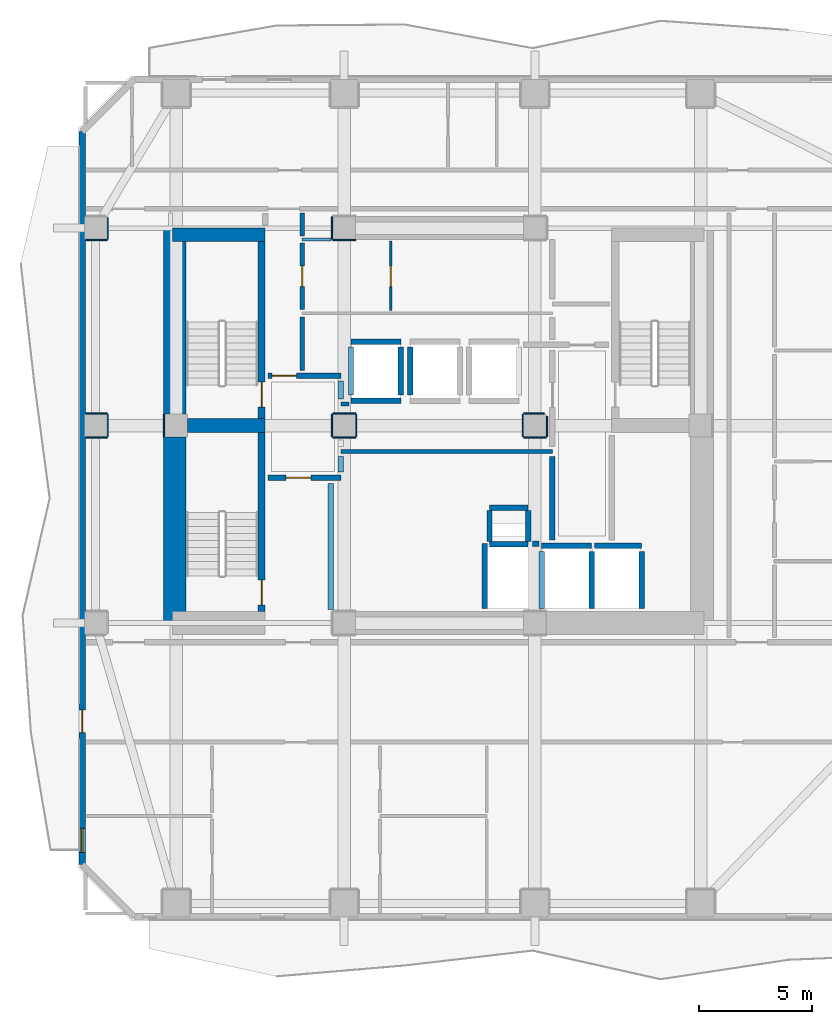
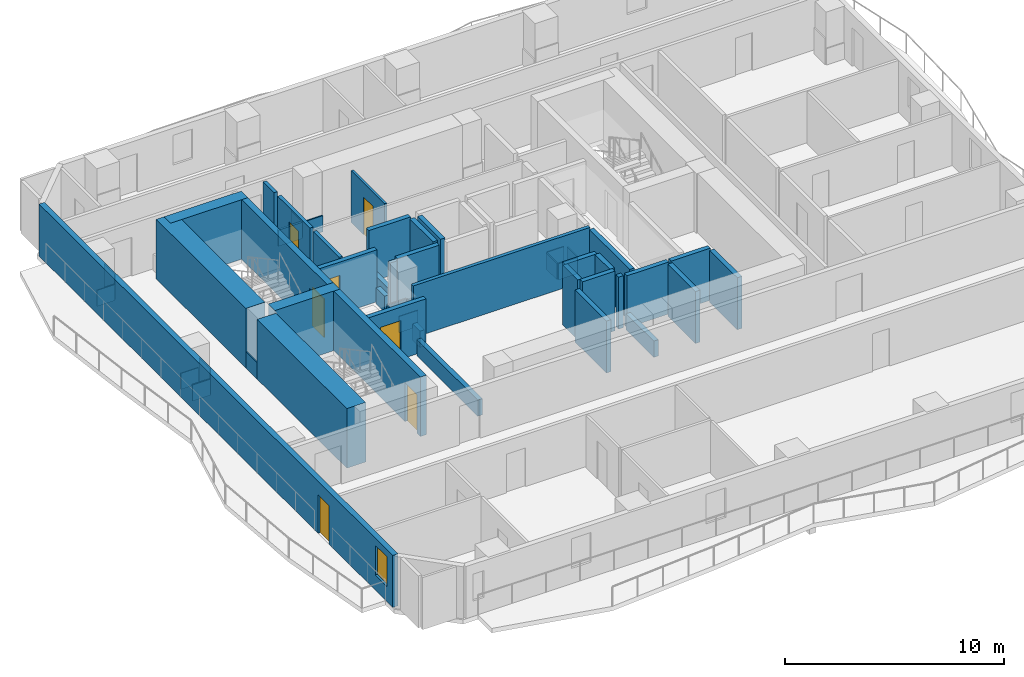
# One storey, part 3 of 9: 52 walls, 7 doors, 1 window, 8 openings.
"""IFC4 building model written with IfcOpenShell, lengths in metres."""

from ifc_helpers import new_model, si_unit, direction, frame, frame_2d, origin, place, context, subcontext, project, spatial, rectangle, extrude, material, layer, layer_set, type_object, element, fill, save


model = new_model("IFC4")

# Units and contexts
model_context = context("Model", 3, precision=1e-05, world=origin(), true_north=direction((0.0, 1.0)))
body_context = subcontext(model_context, "Body", "Model", "MODEL_VIEW")
ifc_project = project(units=[si_unit("LENGTHUNIT", "METRE"), si_unit("AREAUNIT", "SQUARE_METRE"), si_unit("VOLUMEUNIT", "CUBIC_METRE"), si_unit("PLANEANGLEUNIT", "RADIAN"), si_unit("MASSUNIT", "GRAM", prefix="KILO")], contexts=[model_context])

# Site, building, storey
site_placement = place(None, origin())
site = spatial("IfcSite", under=ifc_project, at=site_placement, CompositionType="ELEMENT")
building_placement = place(site_placement, origin())
building = spatial("IfcBuilding", under=site, at=building_placement, Name="Solanera Arch Residences", CompositionType="ELEMENT")
storey_placement = place(building_placement, frame((0.0, 0.0, 142.60009765625)))
storey = spatial("IfcBuildingStorey", under=building, at=storey_placement, Name="L41", CompositionType="ELEMENT", Elevation=142.60009765625)

# Walls
ifc_material_1 = material(Name="Fire-Rated Gypsum Stud Partition", Category="gypsum")
ifc_layer_1 = layer(ifc_material_1, 0.06005859375)
ifc_layer_set_1 = layer_set([ifc_layer_1], Name="Fire-Rated Gypsum Stud Partition")
wall_type_1 = type_object("IfcWallType", Name="Column Acoustic Furring Wall 60", PredefinedType="PARTITIONING", material=ifc_layer_set_1)
for number, where, z_axis, x_axis, name in (
    (1, (20.300048828125, 38.867919921875, 0.0), (0.0, 0.0, 1.0), (1.0, 0.0, 0.0), "L41 Column Furring 3S"),
    (2, (20.26806640625, 38.89990234375, 0.0), (0.0, 0.0, 1.0), (0.0, 1.0, 0.0), "L41 Column Furring 3W"),
):
    element("IfcWall", number, at=place(storey_placement, frame(where, z_axis=z_axis, x_axis=x_axis)), inside=storey, type_object=wall_type_1, Name=name, PredefinedType="PARTITIONING", context=body_context, shape_type="SweptSolid", body=[
        extrude(rectangle(XDim=1.0, YDim=0.06005859375, at=frame_2d((0.5, 0.0))), origin(), (0.0, 0.0, 1.0), 0.90478515625),
    ])
wall_1_placement = place(storey_placement, frame((12.867919921875, 30.2099609375, 0.0), z_axis=(0.0, 0.0, 1.0), x_axis=(0.0, 1.0, 0.0)))
element("IfcWall", 3, at=wall_1_placement, inside=storey, type_object=wall_type_1, Name="L41 Column Furring 5W", PredefinedType="PARTITIONING", context=body_context, shape_type="SweptSolid", body=[
    extrude(rectangle(XDim=0.97998046875, YDim=0.06005859375, at=frame_2d((0.489990234375, 0.0))), origin(), (0.0, 0.0, 1.0), 0.90478515625),
])
for number, where, z_axis, x_axis, name in (
    (4, (20.300048828125, 30.16796875, 0.0), (0.0, 0.0, 1.0), (1.0, 0.0, 0.0), "L41 Column Furring 7S"),
    (5, (20.300048828125, 31.23193359375, 0.0), (0.0, 0.0, 1.0), (1.0, 0.0, 0.0), "L41 Column Furring 7N"),
    (6, (20.26806640625, 30.199951171875, 0.0), (0.0, 0.0, 1.0), (0.0, 1.0, 0.0), "L41 Column Furring 7W"),
    (7, (21.33203125, 30.199951171875, 0.0), (0.0, 0.0, 1.0), (0.0, 1.0, 0.0), "L41 Column Furring 7E"),
    (8, (28.699951171875, 30.16796875, 0.0), (0.0, 0.0, 1.0), (1.0, 0.0, 0.0), "L41 Column Furring 8S"),
):
    element("IfcWall", number, at=place(storey_placement, frame(where, z_axis=z_axis, x_axis=x_axis)), inside=storey, type_object=wall_type_1, Name=name, PredefinedType="PARTITIONING", context=body_context, shape_type="SweptSolid", body=[
        extrude(rectangle(XDim=1.0, YDim=0.06005859375, at=frame_2d((0.5, 0.0))), origin(), (0.0, 0.0, 1.0), 0.90478515625),
    ])
wall_2_placement = place(storey_placement, frame((28.699951171875, 31.23193359375, 0.0), z_axis=(0.0, 0.0, 1.0), x_axis=(1.0, 0.0, 0.0)))
element("IfcWall", 9, at=wall_2_placement, inside=storey, type_object=wall_type_1, Name="L41 Column Furring 8N", PredefinedType="PARTITIONING", context=body_context, shape_type="SweptSolid", body=[
    extrude(rectangle(XDim=0.903076171875, YDim=0.06005859375, at=frame_2d((0.45166015625, 0.0))), origin(), (0.0, 0.0, 1.0), 0.90478515625),
])
wall_3_placement = place(storey_placement, frame((28.66796875, 30.199951171875, 0.0), z_axis=(0.0, 0.0, 1.0), x_axis=(0.0, 1.0, 0.0)))
element("IfcWall", 10, at=wall_3_placement, inside=storey, type_object=wall_type_1, Name="L41 Column Furring 8W", PredefinedType="PARTITIONING", context=body_context, shape_type="SweptSolid", body=[
    extrude(rectangle(XDim=1.0, YDim=0.06005859375, at=frame_2d((0.5, 0.0))), origin(), (0.0, 0.0, 1.0), 0.90478515625),
])
wall_4_placement = place(storey_placement, frame((29.73193359375, 30.199951171875, 0.0), z_axis=(0.0, 0.0, 1.0), x_axis=(0.0, 1.0, 0.0)))
element("IfcWall", 11, at=wall_4_placement, inside=storey, type_object=wall_type_1, Name="L41 Column Furring 8E", PredefinedType="PARTITIONING", context=body_context, shape_type="SweptSolid", body=[
    extrude(rectangle(XDim=0.906982421875, YDim=0.06005859375, at=frame_2d((0.45361328125, 0.0))), origin(), (0.0, 0.0, 1.0), 0.90478515625),
])
for number, where, z_axis, x_axis, name in (
    (12, (9.409912109375, 30.16796875, 0.0), (0.0, 0.0, 1.0), (1.0, 0.0, 0.0), "L41 Column Furring 19S"),
    (13, (9.409912109375, 31.23193359375, 0.0), (0.0, 0.0, 1.0), (1.0, 0.0, 0.0), "L41 Column Furring 19N"),
):
    element("IfcWall", number, at=place(storey_placement, frame(where, z_axis=z_axis, x_axis=x_axis)), inside=storey, type_object=wall_type_1, Name=name, PredefinedType="PARTITIONING", context=body_context, shape_type="SweptSolid", body=[
        extrude(rectangle(XDim=0.940185546875, YDim=0.06005859375, at=frame_2d((0.47021484375, 0.0))), origin(), (0.0, 0.0, 1.0), 0.90478515625),
    ])
wall_5_placement = place(storey_placement, frame((10.382080078125, 30.199951171875, 0.0), z_axis=(0.0, 0.0, 1.0), x_axis=(0.0, 1.0, 0.0)))
element("IfcWall", 14, at=wall_5_placement, inside=storey, type_object=wall_type_1, Name="L41 Column Furring 19E", PredefinedType="PARTITIONING", context=body_context, shape_type="SweptSolid", body=[
    extrude(rectangle(XDim=1.0, YDim=0.06005859375, at=frame_2d((0.5, 0.0))), origin(), (0.0, 0.0, 1.0), 1.449951171875),
])
wall_6_placement = place(storey_placement, frame((9.409912109375, 38.867919921875, 0.0), z_axis=(0.0, 0.0, 1.0), x_axis=(1.0, 0.0, 0.0)))
element("IfcWall", 15, at=wall_6_placement, inside=storey, type_object=wall_type_1, Name="L41 Column Furring 21S", PredefinedType="PARTITIONING", context=body_context, shape_type="SweptSolid", body=[
    extrude(rectangle(XDim=0.940185546875, YDim=0.06005859375, at=frame_2d((0.47021484375, 0.0))), origin(), (0.0, 0.0, 1.0), 0.90478515625),
])
wall_7_placement = place(storey_placement, frame((10.382080078125, 38.89990234375, 0.0), z_axis=(0.0, 0.0, 1.0), x_axis=(0.0, 1.0, 0.0)))
element("IfcWall", 16, at=wall_7_placement, inside=storey, type_object=wall_type_1, Name="L41 Column Furring 21E", PredefinedType="PARTITIONING", context=body_context, shape_type="SweptSolid", body=[
    extrude(rectangle(XDim=0.9560546875, YDim=0.06005859375, at=frame_2d((0.47802734375, 0.0))), origin(), (0.0, 0.0, 1.0), 1.449951171875),
])
ifc_material_2 = material(Name="Concrete C55/67 (f'c = 60 MPa)", Category="concrete")
ifc_layer_2 = layer(ifc_material_2, 1.0)
ifc_layer_set_2 = layer_set([ifc_layer_2], Name="Concrete C55/67 (f'c = 60 MPa)")
wall_type_2 = type_object("IfcWallType", Name="Core Shear Wall CW-1000", PredefinedType="SHEAR", material=ifc_layer_set_2)
wall_8_placement = place(storey_placement, frame((13.340087890625, 22.0, 0.0), z_axis=(0.0, 0.0, 1.0), x_axis=(0.0, 1.0, 0.0)))
element("IfcWall", 17, at=wall_8_placement, inside=storey, type_object=wall_type_2, Name="L41 West Core South Shear Wall", PredefinedType="SHEAR", context=body_context, shape_type="SweptSolid", body=[
    extrude(rectangle(XDim=8.195068359375, YDim=1.0, at=frame_2d((4.09765625, 0.0))), origin(), (0.0, 0.0, 1.0), 3.31982421875),
])
wall_9_placement = place(storey_placement, frame((13.340087890625, 31.205078125, 0.0), z_axis=(0.0, 0.0, 1.0), x_axis=(0.0, 1.0, 0.0)))
element("IfcWall", 18, at=wall_9_placement, inside=storey, type_object=wall_type_2, Name="L41 West Core North Shear Wall", PredefinedType="SHEAR", context=body_context, shape_type="SweptSolid", body=[
    extrude(rectangle(XDim=8.19482421875, YDim=1.0, at=frame_2d((4.097412109375, 0.0))), origin(), (0.0, 0.0, 1.0), 3.31982421875),
])

# Wall, opening, door
ifc_material_3 = material(Name="Concrete C40/50 (f'c = 45 MPa)", Category="concrete")
ifc_layer_3 = layer(ifc_material_3, 0.320068359375)
ifc_layer_set_3 = layer_set([ifc_layer_3], Name="Concrete C40/50 (f'c = 45 MPa)")
wall_type_3 = type_object("IfcWallType", Name="Core Shear Wall CW-320", PredefinedType="SHEAR", material=ifc_layer_set_3)
wall_10_placement = place(storey_placement, frame((17.159912109375, 31.0, 0.0), z_axis=(0.0, 0.0, 1.0), x_axis=(0.0, 1.0, 0.0)))
wall_10 = element("IfcWall", 19, at=wall_10_placement, inside=storey, type_object=wall_type_3, Name="L41 Stair ST-T1 East Shear Wall", PredefinedType="SHEAR", context=body_context, shape_type="SweptSolid", body=[
    extrude(rectangle(XDim=7.800048828125, YDim=0.320068359375, at=frame_2d((3.89990234375, 0.0))), origin(), (0.0, 0.0, 1.0), 3.31982421875),
])
opening_1_placement = place(wall_10_placement, frame((0.510009765625, 0.0, 0.0)))
opening_1 = element("IfcOpeningElement", 20, at=opening_1_placement, cuts=wall_10, Name="Opening DF-01", PredefinedType="OPENING", context=body_context, shape_type="SweptSolid", body=[
    extrude(rectangle(XDim=1.10009765625, YDim=2.14990234375, at=frame_2d((0.550048828125, 1.074951171875))), frame((0.0, 0.169921875, 0.0), z_axis=(0.0, -1.0, 0.0), x_axis=(1.0, 0.0, 0.0)), (0.0, 0.0, 1.0), 0.3401),
])
ifc_material_4 = material(Name="Fire-Rated Architectural Hardwood", Category="wood")
door_type_1 = type_object("IfcDoorType", Name="Stair Exit Fire Door DF-01", OperationType="NOTDEFINED", PredefinedType="DOOR", material=ifc_material_4)
door_1_placement = place(opening_1_placement, origin())
door_1 = element("IfcDoor", 21, at=door_1_placement, inside=storey, type_object=door_type_1, Name="DR-L41-STAIR-ST-T1", OperationType="SINGLE_SWING_RIGHT", OverallHeight=2.14990234375, OverallWidth=1.10009765625, PredefinedType="DOOR", context=body_context, shape_type="SweptSolid", body=[
    extrude(rectangle(XDim=1.10009765625, YDim=2.14990234375, at=frame_2d((0.550048828125, 1.074951171875))), frame((0.0, 0.02490234375, 0.0), z_axis=(0.0, -1.0, 0.0), x_axis=(1.0, 0.0, 0.0)), (0.0, 0.0, 1.0), 0.050048828125),
])
fill(opening_1, door_1)

wall_11_placement = place(storey_placement, frame((17.159912109375, 22.5, 0.0), z_axis=(0.0, 0.0, 1.0), x_axis=(0.0, 1.0, 0.0)))
wall_11 = element("IfcWall", 22, at=wall_11_placement, inside=storey, type_object=wall_type_3, Name="L41 Stair ST-T3 East Shear Wall", PredefinedType="SHEAR", context=body_context, shape_type="SweptSolid", body=[
    extrude(rectangle(XDim=7.89990234375, YDim=0.320068359375, at=frame_2d((3.949951171875, 0.0))), origin(), (0.0, 0.0, 1.0), 3.31982421875),
])
opening_2_placement = place(wall_11_placement, frame((0.2900390625, 0.0, 0.0)))
opening_2 = element("IfcOpeningElement", 23, at=opening_2_placement, cuts=wall_11, Name="Opening DF-01", PredefinedType="OPENING", context=body_context, shape_type="SweptSolid", body=[
    extrude(rectangle(XDim=1.10009765625, YDim=2.14990234375, at=frame_2d((0.550048828125, 1.074951171875))), frame((0.0, 0.169921875, 0.0), z_axis=(0.0, -1.0, 0.0), x_axis=(1.0, 0.0, 0.0)), (0.0, 0.0, 1.0), 0.3401),
])
door_2_placement = place(opening_2_placement, origin())
door_2 = element("IfcDoor", 24, at=door_2_placement, inside=storey, type_object=door_type_1, Name="DR-L41-STAIR-ST-T3", OperationType="SINGLE_SWING_RIGHT", OverallHeight=2.14990234375, OverallWidth=1.10009765625, PredefinedType="DOOR", context=body_context, shape_type="SweptSolid", body=[
    extrude(rectangle(XDim=1.10009765625, YDim=2.14990234375, at=frame_2d((0.550048828125, 1.074951171875))), frame((0.0, 0.02490234375, 0.0), z_axis=(0.0, -1.0, 0.0), x_axis=(1.0, 0.0, 0.0)), (0.0, 0.0, 1.0), 0.050048828125),
])
fill(opening_2, door_2)

# Walls
ifc_material_5 = material(Name="Concrete C40/50 (f'c = 45 MPa)", Category="concrete")
ifc_layer_4 = layer(ifc_material_5, 0.60009765625)
ifc_layer_set_4 = layer_set([ifc_layer_4], Name="Concrete C40/50 (f'c = 45 MPa)")
wall_type_4 = type_object("IfcWallType", Name="Core Shear Wall CW-600", PredefinedType="SHEAR", material=ifc_layer_set_4)
wall_12_placement = place(storey_placement, frame((13.239990234375, 39.10009765625, 0.0), z_axis=(0.0, 0.0, 1.0), x_axis=(1.0, 0.0, 0.0)))
element("IfcWall", 25, at=wall_12_placement, inside=storey, type_object=wall_type_4, Name="L41 North-West Core Shear Wall", PredefinedType="SHEAR", context=body_context, shape_type="SweptSolid", body=[
    extrude(rectangle(XDim=4.080078125, YDim=0.60009765625, at=frame_2d((2.0400390625, 0.0))), origin(), (0.0, 0.0, 1.0), 3.31982421875),
])
wall_13_placement = place(storey_placement, frame((13.905029296875, 30.699951171875, 0.0), z_axis=(0.0, 0.0, 1.0), x_axis=(1.0, 0.0, 0.0)))
element("IfcWall", 26, at=wall_13_placement, inside=storey, type_object=wall_type_4, Name="L41 West Stair Divider Shear Wall", PredefinedType="SHEAR", context=body_context, shape_type="SweptSolid", body=[
    extrude(rectangle(XDim=3.4150390625, YDim=0.60009765625, at=frame_2d((1.70751953125, 0.0))), origin(), (0.0, 0.0, 1.0), 3.31982421875),
])
ifc_material_6 = material(Name="Autoclaved Aerated Concrete Blockwork", Category="masonry")
ifc_layer_5 = layer(ifc_material_6, 0.179931640625)
ifc_layer_set_5 = layer_set([ifc_layer_5], Name="Autoclaved Aerated Concrete Blockwork")
wall_type_5 = type_object("IfcWallType", Name="Corridor Fire Partition 180", PredefinedType="PARTITIONING", material=ifc_layer_set_5)
wall_14_placement = place(storey_placement, frame((20.64990234375, 29.550048828125, 0.0), z_axis=(0.0, 0.0, 1.0), x_axis=(1.0, 0.0, 0.0)))
element("IfcWall", 27, at=wall_14_placement, inside=storey, type_object=wall_type_5, Name="L41 Interior Partition H7", PredefinedType="PARTITIONING", context=body_context, shape_type="SweptSolid", body=[
    extrude(rectangle(XDim=9.3251953125, YDim=0.179931640625, at=frame_2d((4.66259765625, 0.0))), origin(), (0.0, 0.0, 1.0), 2.89990234375),
])
wall_15_placement = place(storey_placement, frame((20.64990234375, 31.64990234375, 0.0), z_axis=(0.0, 0.0, 1.0), x_axis=(1.0, 0.0, 0.0)))
element("IfcWall", 28, at=wall_15_placement, inside=storey, type_object=wall_type_5, Name="L41 Interior Partition H8", PredefinedType="PARTITIONING", context=body_context, shape_type="SweptSolid", body=[
    extrude(rectangle(XDim=0.357177734375, YDim=0.179931640625, at=frame_2d((0.1787109375, 0.0))), origin(), (0.0, 0.0, 1.0), 2.89990234375),
])
wall_16_placement = place(storey_placement, frame((18.949951171875, 33.117919921875, 0.0), z_axis=(0.0, 0.0, 1.0), x_axis=(0.0, 1.0, 0.0)))
element("IfcWall", 29, at=wall_16_placement, inside=storey, type_object=wall_type_5, Name="L41 Interior Partition V8 1", PredefinedType="PARTITIONING", context=body_context, shape_type="SweptSolid", body=[
    extrude(rectangle(XDim=2.3740234375, YDim=0.179931640625, at=frame_2d((1.18701171875, 0.0))), origin(), (0.0, 0.0, 1.0), 2.89990234375),
])

# Wall, opening, door
wall_17_placement = place(storey_placement, frame((18.949951171875, 35.80810546875, 0.0), z_axis=(0.0, 0.0, 1.0), x_axis=(0.0, 1.0, 0.0)))
wall_17 = element("IfcWall", 30, at=wall_17_placement, inside=storey, type_object=wall_type_5, Name="L41 Interior Partition V8 2", PredefinedType="PARTITIONING", context=body_context, shape_type="SweptSolid", body=[
    extrude(rectangle(XDim=2.933837890625, YDim=0.179931640625, at=frame_2d((1.466796875, 0.0))), origin(), (0.0, 0.0, 1.0), 2.89990234375),
])
opening_3_placement = place(wall_17_placement, frame((1.01708984375, 0.0, 0.0)))
opening_3 = element("IfcOpeningElement", 31, at=opening_3_placement, cuts=wall_17, Name="Opening DI-02", PredefinedType="OPENING", context=body_context, shape_type="SweptSolid", body=[
    extrude(rectangle(XDim=0.89990234375, YDim=2.10009765625, at=frame_2d((0.449951171875, 1.050048828125))), frame((0.0, 0.10009765625, 0.0), z_axis=(0.0, -1.0, 0.0), x_axis=(1.0, 0.0, 0.0)), (0.0, 0.0, 1.0), 0.1999),
])
ifc_material_7 = material(Name="Fire-Rated Architectural Hardwood", Category="wood")
door_type_2 = type_object("IfcDoorType", Name="Suite Room Swing Door DI-02", OperationType="NOTDEFINED", PredefinedType="DOOR", material=ifc_material_7)
door_3_placement = place(opening_3_placement, origin())
door_3 = element("IfcDoor", 32, at=door_3_placement, inside=storey, type_object=door_type_2, Name="DR-L41-IN-014", OperationType="SINGLE_SWING_LEFT", OverallHeight=2.10009765625, OverallWidth=0.89990234375, PredefinedType="DOOR", context=body_context, shape_type="SweptSolid", body=[
    extrude(rectangle(XDim=0.89990234375, YDim=2.10009765625, at=frame_2d((0.449951171875, 1.050048828125))), frame((0.0, 0.02490234375, 0.0), z_axis=(0.0, -1.0, 0.0), x_axis=(1.0, 0.0, 0.0)), (0.0, 0.0, 1.0), 0.050048828125),
])
fill(opening_3, door_3)

# Wall
wall_18_placement = place(storey_placement, frame((18.949951171875, 39.05810546875, 0.0), z_axis=(0.0, 0.0, 1.0), x_axis=(0.0, 1.0, 0.0)))
element("IfcWall", 33, at=wall_18_placement, inside=storey, type_object=wall_type_5, Name="L41 Interior Partition V8 3", PredefinedType="PARTITIONING", context=body_context, shape_type="SweptSolid", body=[
    extrude(rectangle(XDim=1.00390625, YDim=0.179931640625, at=frame_2d((0.501953125, 0.0))), origin(), (0.0, 0.0, 1.0), 2.89990234375),
])

# Wall, openings, door, window
ifc_material_8 = material(Name="Precast Concrete C35/45", Category="concrete")
ifc_layer_6 = layer(ifc_material_8, 0.280029296875)
ifc_layer_set_6 = layer_set([ifc_layer_6], Name="Precast Concrete C35/45")
wall_type_6 = type_object("IfcWallType", Name="Exterior Wall Precast Masonry-Frame 280", PredefinedType="STANDARD", material=ifc_layer_set_6)
wall_19_placement = place(storey_placement, frame((9.2548828125, 11.35498046875, 0.0), z_axis=(0.0, 0.0, 1.0), x_axis=(0.0, 1.0, 0.0)))
wall_19 = element("IfcWall", 34, at=wall_19_placement, inside=storey, type_object=wall_type_6, Name="L41 Tower Exterior Precast Masonry-Frame Wall W", PredefinedType="STANDARD", context=body_context, shape_type="SweptSolid", body=[
    extrude(rectangle(XDim=32.2900390625, YDim=0.280029296875, at=frame_2d((16.14501953125, 0.0))), origin(), (0.0, 0.0, 1.0), 2.89990234375),
])
opening_4_placement = place(wall_19_placement, frame((5.818115234375, 0.0, 0.0)))
opening_4 = element("IfcOpeningElement", 35, at=opening_4_placement, cuts=wall_19, Name="Opening DB-01", PredefinedType="OPENING", context=body_context, shape_type="SweptSolid", body=[
    extrude(rectangle(XDim=1.0, YDim=2.14990234375, at=frame_2d((0.5, 1.074951171875))), frame((0.0, 0.14990234375, 0.0), z_axis=(0.0, -1.0, 0.0), x_axis=(1.0, 0.0, 0.0)), (0.0, 0.0, 1.0), 0.3),
])
opening_5_placement = place(wall_19_placement, frame((0.5439453125, 0.0, 0.85009765625)))
opening_5 = element("IfcOpeningElement", 36, at=opening_5_placement, cuts=wall_19, Name="Opening W-07", PredefinedType="OPENING", context=body_context, shape_type="SweptSolid", body=[
    extrude(rectangle(XDim=1.050048828125, YDim=1.64990234375, at=frame_2d((0.52490234375, 0.824951171875))), frame((0.0, 0.14990234375, 0.0), z_axis=(0.0, -1.0, 0.0), x_axis=(1.0, 0.0, 0.0)), (0.0, 0.0, 1.0), 0.3),
])
ifc_material_9 = material(Name="Anodised Aluminium Alloy 6063-T6", Category="aluminium")
door_type_3 = type_object("IfcDoorType", Name="Glazed Balcony Swing Door DB-01", OperationType="NOTDEFINED", PredefinedType="DOOR", material=ifc_material_9)
door_4_placement = place(opening_4_placement, origin())
door_4 = element("IfcDoor", 37, at=door_4_placement, inside=storey, type_object=door_type_3, Name="DR-L41-OUT-04", OperationType="SINGLE_SWING_RIGHT", OverallHeight=2.14990234375, OverallWidth=1.0, PredefinedType="DOOR", context=body_context, shape_type="SweptSolid", body=[
    extrude(rectangle(XDim=1.0, YDim=2.14990234375, at=frame_2d((0.5, 1.074951171875))), frame((0.0, 0.02490234375, 0.0), z_axis=(0.0, -1.0, 0.0), x_axis=(1.0, 0.0, 0.0)), (0.0, 0.0, 1.0), 0.050048828125),
])
fill(opening_4, door_4)
ifc_material_10 = material(Name="Double Glazed Low-E Laminated Glass", Category="glass")
window_type = type_object("IfcWindowType", Name="Punched Window W-07", PartitioningType="SINGLE_PANEL", PredefinedType="WINDOW", material=ifc_material_10)
window_placement = place(opening_5_placement, origin())
window = element("IfcWindow", 38, at=window_placement, inside=storey, type_object=window_type, Name="L41 4101-BR1 Punched Window", OverallHeight=1.64990234375, OverallWidth=1.050048828125, PartitioningType="SINGLE_PANEL", PredefinedType="WINDOW", context=body_context, shape_type="SweptSolid", body=[
    extrude(rectangle(XDim=1.050048828125, YDim=1.64990234375, at=frame_2d((0.52490234375, 0.824951171875))), frame((0.0, 0.030029296875, 0.0), z_axis=(0.0, -1.0, 0.0), x_axis=(1.0, 0.0, 0.0)), (0.0, 0.0, 1.0), 0.06005859375),
])
fill(opening_5, window)

# Walls
ifc_material_11 = material(Name="Concrete C40/50 (f'c = 45 MPa)", Category="concrete")
ifc_layer_7 = layer(ifc_material_11, 0.239990234375)
ifc_layer_set_7 = layer_set([ifc_layer_7], Name="Concrete C40/50 (f'c = 45 MPa)")
wall_type_7 = type_object("IfcWallType", Name="Ramp Bearing Shear Wall RW-240", PredefinedType="SHEAR", material=ifc_layer_set_7)
for number, where, z_axis, x_axis, name in (
    (39, (27.199951171875, 25.47998046875, 0.0), (0.0, 0.0, 1.0), (1.0, 0.0, 0.0), "L41 Core MEP Riser South Shaft Wall"),
    (40, (27.199951171875, 27.080078125, 0.0), (0.0, 0.0, 1.0), (1.0, 0.0, 0.0), "L41 Core MEP Riser North Shaft Wall"),
):
    element("IfcWall", number, at=place(storey_placement, frame(where, z_axis=z_axis, x_axis=x_axis)), inside=storey, type_object=wall_type_7, Name=name, PredefinedType="SHEAR", context=body_context, shape_type="SweptSolid", body=[
        extrude(rectangle(XDim=1.699951171875, YDim=0.239990234375, at=frame_2d((0.85009765625, 0.0))), origin(), (0.0, 0.0, 1.0), 3.31982421875),
    ])
for number, where, z_axis, x_axis, name in (
    (41, (27.199951171875, 25.60009765625, 0.0), (0.0, 0.0, 1.0), (0.0, 1.0, 0.0), "L41 Core MEP Riser West Shaft Wall"),
    (42, (28.89990234375, 25.60009765625, 0.0), (0.0, 0.0, 1.0), (0.0, 1.0, 0.0), "L41 Core MEP Riser East Shaft Wall"),
):
    element("IfcWall", number, at=place(storey_placement, frame(where, z_axis=z_axis, x_axis=x_axis)), inside=storey, type_object=wall_type_7, Name=name, PredefinedType="SHEAR", context=body_context, shape_type="SweptSolid", body=[
        extrude(rectangle(XDim=1.35986328125, YDim=0.239990234375, at=frame_2d((0.679931640625, 0.0))), origin(), (0.0, 0.0, 1.0), 3.31982421875),
    ])
ifc_material_12 = material(Name="Autoclaved Aerated Concrete Blockwork", Category="masonry")
ifc_layer_8 = layer(ifc_material_12, 0.239990234375)
ifc_layer_set_8 = layer_set([ifc_layer_8], Name="Autoclaved Aerated Concrete Blockwork")
wall_type_8 = type_object("IfcWallType", Name="Shaft Wall Fire-Rated 240", PredefinedType="PARTITIONING", material=ifc_layer_set_8)
for number, where, z_axis, x_axis, name in (
    (43, (21.10009765625, 31.800048828125, 0.0), (0.0, 0.0, 1.0), (1.0, 0.0, 0.0), "L41 Lift PL-M1 Hoistway Wall S"),
    (44, (21.10009765625, 34.39990234375, 0.0), (0.0, 0.0, 1.0), (1.0, 0.0, 0.0), "L41 Lift PL-M1 Hoistway Wall N"),
):
    element("IfcWall", number, at=place(storey_placement, frame(where, z_axis=z_axis, x_axis=x_axis)), inside=storey, type_object=wall_type_8, Name=name, PredefinedType="PARTITIONING", context=body_context, shape_type="SweptSolid", body=[
        extrude(rectangle(XDim=2.199951171875, YDim=0.239990234375, at=frame_2d((1.10009765625, 0.0))), origin(), (0.0, 0.0, 1.0), 2.89990234375),
    ])
wall_20_placement = place(storey_placement, frame((21.10009765625, 32.048095703125, 0.0), z_axis=(0.0, 0.0, 1.0), x_axis=(0.0, 1.0, 0.0)))
element("IfcWall", 45, at=wall_20_placement, inside=storey, type_object=wall_type_8, Name="L41 Lift PL-M1 Hoistway Wall W", PredefinedType="PARTITIONING", context=body_context, shape_type="SweptSolid", body=[
    extrude(rectangle(XDim=2.10400390625, YDim=0.239990234375, at=frame_2d((1.052001953125, 0.0))), origin(), (0.0, 0.0, 1.0), 0.90478515625),
])
for number, where, z_axis, x_axis, name in (
    (46, (23.300048828125, 32.048095703125, 0.0), (0.0, 0.0, 1.0), (0.0, 1.0, 0.0), "L41 Lift PL-M1 Hoistway Wall E"),
    (47, (23.699951171875, 32.048095703125, 0.0), (0.0, 0.0, 1.0), (0.0, 1.0, 0.0), "L41 Lift PL-M2 Hoistway Wall W"),
):
    element("IfcWall", number, at=place(storey_placement, frame(where, z_axis=z_axis, x_axis=x_axis)), inside=storey, type_object=wall_type_8, Name=name, PredefinedType="PARTITIONING", context=body_context, shape_type="SweptSolid", body=[
        extrude(rectangle(XDim=2.10400390625, YDim=0.239990234375, at=frame_2d((1.052001953125, 0.0))), origin(), (0.0, 0.0, 1.0), 2.89990234375),
    ])
wall_21_placement = place(storey_placement, frame((29.5, 25.39990234375, 0.0), z_axis=(0.0, 0.0, 1.0), x_axis=(1.0, 0.0, 0.0)))
element("IfcWall", 48, at=wall_21_placement, inside=storey, type_object=wall_type_8, Name="L41 Lift FFL-1 Hoistway Wall N", PredefinedType="PARTITIONING", context=body_context, shape_type="SweptSolid", body=[
    extrude(rectangle(XDim=2.199951171875, YDim=0.239990234375, at=frame_2d((1.10009765625, 0.0))), origin(), (0.0, 0.0, 1.0), 2.89990234375),
])
wall_22_placement = place(storey_placement, frame((29.5, 22.632080078125, 0.0), z_axis=(0.0, 0.0, 1.0), x_axis=(0.0, 1.0, 0.0)))
element("IfcWall", 49, at=wall_22_placement, inside=storey, type_object=wall_type_8, Name="L41 Lift FFL-1 Hoistway Wall W", PredefinedType="PARTITIONING", context=body_context, shape_type="SweptSolid", body=[
    extrude(rectangle(XDim=2.52001953125, YDim=0.239990234375, at=frame_2d((1.260009765625, 0.0))), origin(), (0.0, 0.0, 1.0), 0.90478515625),
])
wall_23_placement = place(storey_placement, frame((31.699951171875, 22.6298828125, 0.0), z_axis=(0.0, 0.0, 1.0), x_axis=(0.0, 1.0, 0.0)))
element("IfcWall", 50, at=wall_23_placement, inside=storey, type_object=wall_type_8, Name="L41 Lift FFL-1 Hoistway Wall E", PredefinedType="PARTITIONING", context=body_context, shape_type="SweptSolid", body=[
    extrude(rectangle(XDim=2.522216796875, YDim=0.239990234375, at=frame_2d((1.26123046875, 0.0))), origin(), (0.0, 0.0, 1.0), 2.89990234375),
])
wall_24_placement = place(storey_placement, frame((31.827880859375, 25.39990234375, 0.0), z_axis=(0.0, 0.0, 1.0), x_axis=(1.0, 0.0, 0.0)))
element("IfcWall", 51, at=wall_24_placement, inside=storey, type_object=wall_type_8, Name="L41 Lift FFL-2 Hoistway Wall N", PredefinedType="PARTITIONING", context=body_context, shape_type="SweptSolid", body=[
    extrude(rectangle(XDim=2.072021484375, YDim=0.239990234375, at=frame_2d((1.0361328125, 0.0))), origin(), (0.0, 0.0, 1.0), 2.89990234375),
])
wall_25_placement = place(storey_placement, frame((33.89990234375, 22.6298828125, 0.0), z_axis=(0.0, 0.0, 1.0), x_axis=(0.0, 1.0, 0.0)))
element("IfcWall", 52, at=wall_25_placement, inside=storey, type_object=wall_type_8, Name="L41 Lift FFL-2 Hoistway Wall E", PredefinedType="PARTITIONING", context=body_context, shape_type="SweptSolid", body=[
    extrude(rectangle(XDim=2.522216796875, YDim=0.239990234375, at=frame_2d((1.26123046875, 0.0))), origin(), (0.0, 0.0, 1.0), 2.89990234375),
])
wall_26_placement = place(storey_placement, frame((29.10302734375, 25.5, 0.0), z_axis=(0.0, 0.0, 1.0), x_axis=(1.0, 0.0, 0.0)))
element("IfcWall", 53, at=wall_26_placement, inside=storey, type_object=wall_type_8, Name="L41 Lift SVL-1 Hoistway Wall N", PredefinedType="PARTITIONING", context=body_context, shape_type="SweptSolid", body=[
    extrude(rectangle(XDim=0.26904296875, YDim=0.239990234375, at=frame_2d((0.134521484375, 0.0))), origin(), (0.0, 0.0, 1.0), 2.89990234375),
])
wall_27_placement = place(storey_placement, frame((27.0, 22.6298828125, 0.0), z_axis=(0.0, 0.0, 1.0), x_axis=(0.0, 1.0, 0.0)))
element("IfcWall", 54, at=wall_27_placement, inside=storey, type_object=wall_type_8, Name="L41 Lift SVL-1 Hoistway Wall W", PredefinedType="PARTITIONING", context=body_context, shape_type="SweptSolid", body=[
    extrude(rectangle(XDim=2.8681640625, YDim=0.239990234375, at=frame_2d((1.43408203125, 0.0))), origin(), (0.0, 0.0, 1.0), 2.89990234375),
])

# Wall, opening, door
wall_28_placement = place(storey_placement, frame((17.449951171875, 28.39990234375, 0.0), z_axis=(0.0, 0.0, 1.0), x_axis=(1.0, 0.0, 0.0)))
wall_28 = element("IfcWall", 55, at=wall_28_placement, inside=storey, type_object=wall_type_8, Name="L41 Interior Partition H3", PredefinedType="PARTITIONING", context=body_context, shape_type="SweptSolid", body=[
    extrude(rectangle(XDim=3.199951171875, YDim=0.239990234375, at=frame_2d((1.60009765625, 0.0))), origin(), (0.0, 0.0, 1.0), 2.89990234375),
])
opening_6_placement = place(wall_28_placement, frame((0.783935546875, 0.0, 0.0)))
opening_6 = element("IfcOpeningElement", 56, at=opening_6_placement, cuts=wall_28, Name="Opening DF-02", PredefinedType="OPENING", context=body_context, shape_type="SweptSolid", body=[
    extrude(rectangle(XDim=1.10009765625, YDim=2.14990234375, at=frame_2d((0.550048828125, 1.074951171875))), frame((0.0, 0.1298828125, 0.0), z_axis=(0.0, -1.0, 0.0), x_axis=(1.0, 0.0, 0.0)), (0.0, 0.0, 1.0), 0.26),
])
ifc_material_13 = material(Name="Fire-Rated Architectural Hardwood", Category="wood")
door_type_4 = type_object("IfcDoorType", Name="Firefighting Lobby Fire Door DF-02", OperationType="NOTDEFINED", PredefinedType="DOOR", material=ifc_material_13)
door_5_placement = place(opening_6_placement, origin())
door_5 = element("IfcDoor", 57, at=door_5_placement, inside=storey, type_object=door_type_4, Name="DR-L41-IN-004", OperationType="SINGLE_SWING_LEFT", OverallHeight=2.14990234375, OverallWidth=1.10009765625, PredefinedType="DOOR", context=body_context, shape_type="SweptSolid", body=[
    extrude(rectangle(XDim=1.10009765625, YDim=2.14990234375, at=frame_2d((0.550048828125, 1.074951171875))), frame((0.0, 0.02490234375, 0.0), z_axis=(0.0, -1.0, 0.0), x_axis=(1.0, 0.0, 0.0)), (0.0, 0.0, 1.0), 0.050048828125),
])
fill(opening_6, door_5)

wall_29_placement = place(storey_placement, frame((17.449951171875, 32.89990234375, 0.0), z_axis=(0.0, 0.0, 1.0), x_axis=(1.0, 0.0, 0.0)))
wall_29 = element("IfcWall", 58, at=wall_29_placement, inside=storey, type_object=wall_type_8, Name="L41 Interior Partition H4", PredefinedType="PARTITIONING", context=body_context, shape_type="SweptSolid", body=[
    extrude(rectangle(XDim=3.199951171875, YDim=0.239990234375, at=frame_2d((1.60009765625, 0.0))), origin(), (0.0, 0.0, 1.0), 2.89990234375),
])
opening_7_placement = place(wall_29_placement, frame((0.158935546875, 0.0, 0.0)))
opening_7 = element("IfcOpeningElement", 59, at=opening_7_placement, cuts=wall_29, Name="Opening DF-02", PredefinedType="OPENING", context=body_context, shape_type="SweptSolid", body=[
    extrude(rectangle(XDim=1.10009765625, YDim=2.14990234375, at=frame_2d((0.550048828125, 1.074951171875))), frame((0.0, 0.1298828125, 0.0), z_axis=(0.0, -1.0, 0.0), x_axis=(1.0, 0.0, 0.0)), (0.0, 0.0, 1.0), 0.26),
])
door_6_placement = place(opening_7_placement, origin())
door_6 = element("IfcDoor", 60, at=door_6_placement, inside=storey, type_object=door_type_4, Name="DR-L41-IN-005", OperationType="SINGLE_SWING_RIGHT", OverallHeight=2.14990234375, OverallWidth=1.10009765625, PredefinedType="DOOR", context=body_context, shape_type="SweptSolid", body=[
    extrude(rectangle(XDim=1.10009765625, YDim=2.14990234375, at=frame_2d((0.550048828125, 1.074951171875))), frame((0.0, 0.02490234375, 0.0), z_axis=(0.0, -1.0, 0.0), x_axis=(1.0, 0.0, 0.0)), (0.0, 0.0, 1.0), 0.050048828125),
])
fill(opening_7, door_6)

# Walls
wall_30_placement = place(storey_placement, frame((20.199951171875, 22.5859375, 0.0), z_axis=(0.0, 0.0, 1.0), x_axis=(0.0, 1.0, 0.0)))
element("IfcWall", 61, at=wall_30_placement, inside=storey, type_object=wall_type_8, Name="L41 Interior Partition V2", PredefinedType="PARTITIONING", context=body_context, shape_type="SweptSolid", body=[
    extrude(rectangle(XDim=5.566162109375, YDim=0.239990234375, at=frame_2d((2.783203125, 0.0))), origin(), (0.0, 0.0, 1.0), 0.90478515625),
])
wall_31_placement = place(storey_placement, frame((20.64990234375, 28.64794921875, 0.0), z_axis=(0.0, 0.0, 1.0), x_axis=(0.0, 1.0, 0.0)))
element("IfcWall", 62, at=wall_31_placement, inside=storey, type_object=wall_type_8, Name="L41 Interior Partition V3 1", PredefinedType="PARTITIONING", context=body_context, shape_type="SweptSolid", body=[
    extrude(rectangle(XDim=0.68408203125, YDim=0.239990234375, at=frame_2d((0.342041015625, 0.0))), origin(), (0.0, 0.0, 1.0), 0.90478515625),
])
wall_32_placement = place(storey_placement, frame((20.64990234375, 31.867919921875, 0.0), z_axis=(0.0, 0.0, 1.0), x_axis=(0.0, 1.0, 0.0)))
element("IfcWall", 63, at=wall_32_placement, inside=storey, type_object=wall_type_8, Name="L41 Interior Partition V3 3", PredefinedType="PARTITIONING", context=body_context, shape_type="SweptSolid", body=[
    extrude(rectangle(XDim=0.7841796875, YDim=0.239990234375, at=frame_2d((0.39208984375, 0.0))), origin(), (0.0, 0.0, 1.0), 0.90478515625),
])
wall_33_placement = place(storey_placement, frame((29.97509765625, 25.64794921875, 0.0), z_axis=(0.0, 0.0, 1.0), x_axis=(0.0, 1.0, 0.0)))
element("IfcWall", 64, at=wall_33_placement, inside=storey, type_object=wall_type_8, Name="L41 Interior Partition V4 1", PredefinedType="PARTITIONING", context=body_context, shape_type="SweptSolid", body=[
    extrude(rectangle(XDim=3.68408203125, YDim=0.239990234375, at=frame_2d((1.842041015625, 0.0))), origin(), (0.0, 0.0, 1.0), 2.89990234375),
])
ifc_material_14 = material(Name="Fire-Rated Gypsum Stud Partition", Category="gypsum")
ifc_layer_9 = layer(ifc_material_14, 0.1201171875)
ifc_layer_set_9 = layer_set([ifc_layer_9], Name="Fire-Rated Gypsum Stud Partition")
wall_type_9 = type_object("IfcWallType", Name="Unit Drywall Partition 120", PredefinedType="PARTITIONING", material=ifc_layer_set_9)
wall_34_placement = place(storey_placement, frame((18.949951171875, 38.89990234375, 0.0), z_axis=(0.0, 0.0, 1.0), x_axis=(1.0, 0.0, 0.0)))
element("IfcWall", 65, at=wall_34_placement, inside=storey, type_object=wall_type_9, Name="L41 Interior Partition H20", PredefinedType="PARTITIONING", context=body_context, shape_type="SweptSolid", body=[
    extrude(rectangle(XDim=1.278076171875, YDim=0.1201171875, at=frame_2d((0.63916015625, 0.0))), origin(), (0.0, 0.0, 1.0), 0.90478515625),
])

# Wall, opening, door
wall_35_placement = place(storey_placement, frame((22.85009765625, 35.778076171875, 0.0), z_axis=(0.0, 0.0, 1.0), x_axis=(0.0, 1.0, 0.0)))
wall_35 = element("IfcWall", 66, at=wall_35_placement, inside=storey, type_object=wall_type_9, Name="L41 Interior Partition V17", PredefinedType="PARTITIONING", context=body_context, shape_type="SweptSolid", body=[
    extrude(rectangle(XDim=3.052001953125, YDim=0.1201171875, at=frame_2d((1.52587890625, 0.0))), origin(), (0.0, 0.0, 1.0), 2.89990234375),
])
opening_8_placement = place(wall_35_placement, frame((1.047119140625, 0.0, 0.0)))
opening_8 = element("IfcOpeningElement", 67, at=opening_8_placement, cuts=wall_35, Name="Opening DI-02", PredefinedType="OPENING", context=body_context, shape_type="SweptSolid", body=[
    extrude(rectangle(XDim=0.89990234375, YDim=2.10009765625, at=frame_2d((0.449951171875, 1.050048828125))), frame((0.0, 0.070068359375, 0.0), z_axis=(0.0, -1.0, 0.0), x_axis=(1.0, 0.0, 0.0)), (0.0, 0.0, 1.0), 0.1401),
])
door_7_placement = place(opening_8_placement, origin())
door_7 = element("IfcDoor", 68, at=door_7_placement, inside=storey, type_object=door_type_2, Name="DR-L41-IN-015", OperationType="SINGLE_SWING_RIGHT", OverallHeight=2.10009765625, OverallWidth=0.89990234375, PredefinedType="DOOR", context=body_context, shape_type="SweptSolid", body=[
    extrude(rectangle(XDim=0.89990234375, YDim=2.10009765625, at=frame_2d((0.449951171875, 1.050048828125))), frame((0.0, 0.02490234375, 0.0), z_axis=(0.0, -1.0, 0.0), x_axis=(1.0, 0.0, 0.0)), (0.0, 0.0, 1.0), 0.050048828125),
])
fill(opening_8, door_7)

save(model, "model.ifc")
